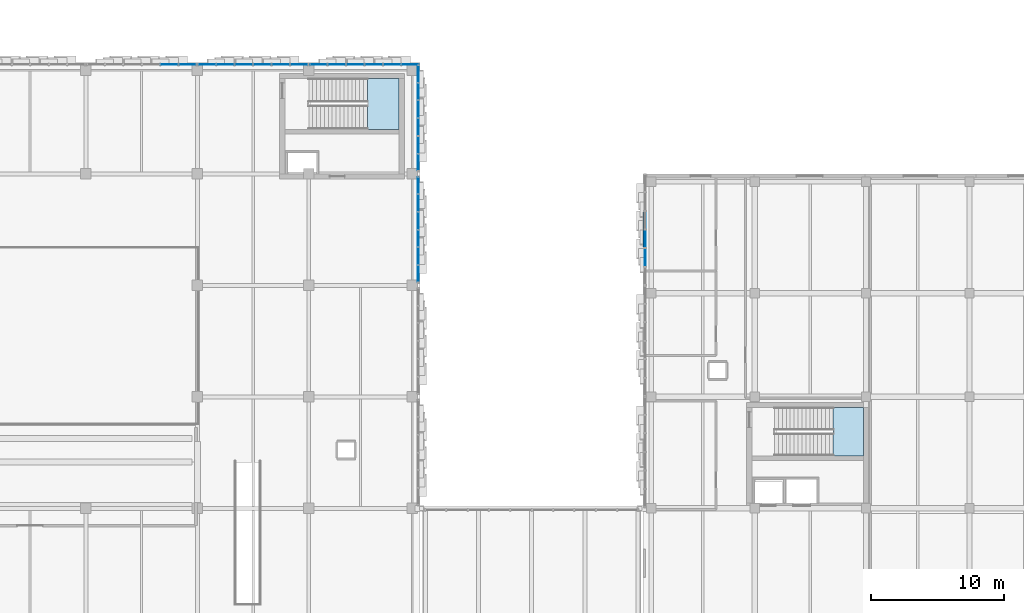
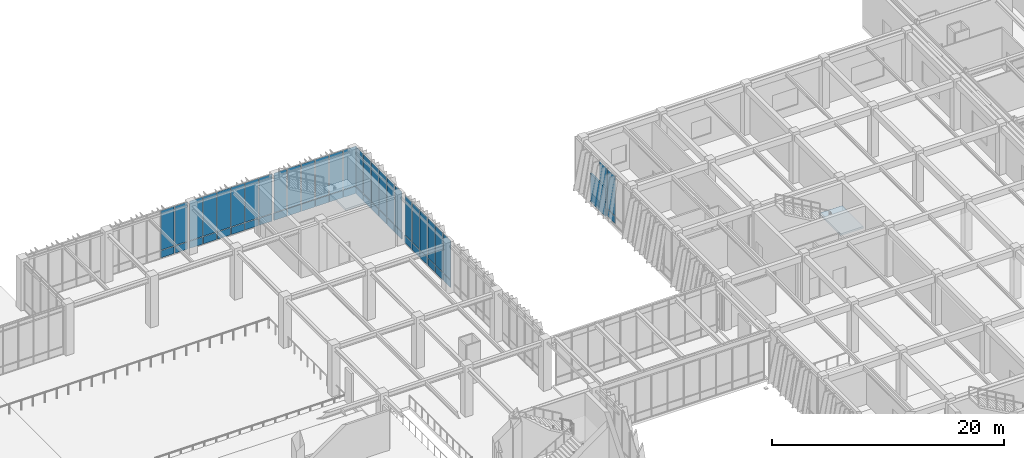
# One storey, part 97 of 139: 58 plates, 2 slabs, 8 elements without a shape of their own.
"""IFC4 building model written with IfcOpenShell, lengths in metres."""

from ifc_helpers import new_model, si_unit, direction, frame, origin, origin_2d, place, context, subcontext, project, spatial, polyline, rectangle, outline, extrude, material, layer, layer_set, type_object, element, aggregate, save


model = new_model("IFC4")

# Units and contexts
model_context = context("Model", 3, precision=1e-05, world=origin(), true_north=direction((0.0, 1.0)))
body_context = subcontext(model_context, "Body", "Model", "MODEL_VIEW")
ifc_project = project(units=[si_unit("LENGTHUNIT", "METRE"), si_unit("AREAUNIT", "SQUARE_METRE"), si_unit("VOLUMEUNIT", "CUBIC_METRE"), si_unit("PLANEANGLEUNIT", "RADIAN"), si_unit("MASSUNIT", "GRAM", prefix="KILO")], contexts=[model_context])

# Site, building, storey
site_placement = place(None, origin())
site = spatial("IfcSite", under=ifc_project, at=site_placement, CompositionType="ELEMENT")
building_placement = place(site_placement, origin())
building = spatial("IfcBuilding", under=site, at=building_placement, Name="Zayran Congress Hotel", CompositionType="ELEMENT")
storey_placement = place(building_placement, frame((0.0, 0.0, 5.39990234375)))
storey = spatial("IfcBuildingStorey", under=building, at=storey_placement, Name="L01", CompositionType="ELEMENT", Elevation=5.39990234375)

# Plate
ifc_material_1 = material(Name="Ajlun reconstituted limestone claustra", Category="masonry")
ifc_layer_1 = layer(ifc_material_1, 0.14990234375)
ifc_layer_set_1 = layer_set([ifc_layer_1], Name="Ajlun reconstituted limestone claustra")
plate_type_1 = type_object("IfcPlateType", Name="TP-CLS-09", PredefinedType="USERDEFINED", material=ifc_layer_set_1)
plate_1_placement = place(storey_placement, frame((109.280029296875, 105.408935546875, 0.0), z_axis=(0.0, 0.0, 1.0), x_axis=(0.0, 1.0, 0.0)))
element("IfcPlate", 1, at=plate_1_placement, inside=storey, type_object=plate_type_1, Name="Pierced Claustra Screen 24", ObjectType="CLAUSTRA SCREEN", PredefinedType="USERDEFINED", context=body_context, shape_type="SweptSolid", body=[
    extrude(rectangle(XDim=2.60009765625, YDim=0.14990234375, at=origin_2d()), origin(), (0.0, 0.0, 1.0), 3.0),
])

# Curtain wall, plates
ifc_material_2 = material(Name="Anodised aluminium and low-E insulated glass", Category="aluminium")
ifc_layer_2 = layer(ifc_material_2, 0.179931640625)
ifc_layer_set_2 = layer_set([ifc_layer_2], Name="Anodised aluminium and low-E insulated glass")
curtain_wall_type_1 = type_object("IfcCurtainWallType", Name="CW-V1N-L01-CW-22-8360-5080", PredefinedType="USERDEFINED", material=ifc_layer_set_2)
curtain_wall_1_placement = place(storey_placement, origin())
curtain_wall_1 = element("IfcCurtainWall", 2, at=curtain_wall_1_placement, inside=storey, type_object=curtain_wall_type_1, Name="CW-V1N-L01-7", ObjectType="CURTAIN WALL", PredefinedType="USERDEFINED")
ifc_layer_3 = layer(ifc_material_2, 0.028076171875)
ifc_layer_set_3 = layer_set([ifc_layer_3], Name="Anodised aluminium and low-E insulated glass")
plate_type_2 = type_object("IfcPlateType", Name="CWP-GL-1273-4150", PredefinedType="CURTAIN_PANEL", material=ifc_layer_set_3)
plate_2_placement = place(storey_placement, frame((74.86328125, 117.85009765625, 0.8701171875), z_axis=(0.0, 0.0, 1.0), x_axis=(1.0, 0.0, 0.0)))
plate_2 = element("IfcPlate", 3, at=plate_2_placement, type_object=plate_type_2, Name="CW-22 Glazed Panel 1", PredefinedType="CURTAIN_PANEL", context=body_context, shape_type="SweptSolid", body=[
    extrude(rectangle(XDim=1.273193359375, YDim=0.028076171875, at=origin_2d()), origin(), (0.0, 0.0, 1.0), 4.14990234375),
])
plate_3_placement = place(storey_placement, frame((73.489990234375, 117.85009765625, 0.8701171875), z_axis=(0.0, 0.0, 1.0), x_axis=(1.0, 0.0, 0.0)))
plate_3 = element("IfcPlate", 4, at=plate_3_placement, type_object=plate_type_2, Name="CW-22 Glazed Panel 2", PredefinedType="CURTAIN_PANEL", context=body_context, shape_type="SweptSolid", body=[
    extrude(rectangle(XDim=1.313232421875, YDim=0.028076171875, at=origin_2d()), origin(), (0.0, 0.0, 1.0), 4.14990234375),
])

ifc_layer_4 = layer(ifc_material_2, 0.179931640625)
ifc_layer_set_4 = layer_set([ifc_layer_4], Name="Anodised aluminium and low-E insulated glass")
curtain_wall_type_2 = type_object("IfcCurtainWallType", Name="CW-V1N-L01-CW-23-8360-5080", PredefinedType="USERDEFINED", material=ifc_layer_set_4)
curtain_wall_2_placement = place(storey_placement, origin())
curtain_wall_2 = element("IfcCurtainWall", 5, at=curtain_wall_2_placement, inside=storey, type_object=curtain_wall_type_2, Name="CW-V1N-L01-8", ObjectType="CURTAIN WALL", PredefinedType="USERDEFINED")
plate_4_placement = place(storey_placement, frame((83.26318359375, 117.85009765625, 0.8701171875), z_axis=(0.0, 0.0, 1.0), x_axis=(1.0, 0.0, 0.0)))
plate_4 = element("IfcPlate", 6, at=plate_4_placement, type_object=plate_type_2, Name="CW-23 Glazed Panel 1", PredefinedType="CURTAIN_PANEL", context=body_context, shape_type="SweptSolid", body=[
    extrude(rectangle(XDim=1.273193359375, YDim=0.028076171875, at=origin_2d()), origin(), (0.0, 0.0, 1.0), 4.14990234375),
])
plate_5_placement = place(storey_placement, frame((81.889892578125, 117.85009765625, 0.8701171875), z_axis=(0.0, 0.0, 1.0), x_axis=(1.0, 0.0, 0.0)))
plate_5 = element("IfcPlate", 7, at=plate_5_placement, type_object=plate_type_2, Name="CW-23 Glazed Panel 2", PredefinedType="CURTAIN_PANEL", context=body_context, shape_type="SweptSolid", body=[
    extrude(rectangle(XDim=1.313232421875, YDim=0.028076171875, at=origin_2d()), origin(), (0.0, 0.0, 1.0), 4.14990234375),
])
plate_6_placement = place(storey_placement, frame((80.49658203125, 117.85009765625, 0.8701171875), z_axis=(0.0, 0.0, 1.0), x_axis=(1.0, 0.0, 0.0)))
plate_6 = element("IfcPlate", 8, at=plate_6_placement, type_object=plate_type_2, Name="CW-23 Glazed Panel 3", PredefinedType="CURTAIN_PANEL", context=body_context, shape_type="SweptSolid", body=[
    extrude(rectangle(XDim=1.313232421875, YDim=0.028076171875, at=origin_2d()), origin(), (0.0, 0.0, 1.0), 4.14990234375),
])
plate_7_placement = place(storey_placement, frame((79.103271484375, 117.85009765625, 0.8701171875), z_axis=(0.0, 0.0, 1.0), x_axis=(1.0, 0.0, 0.0)))
plate_7 = element("IfcPlate", 9, at=plate_7_placement, type_object=plate_type_2, Name="CW-23 Glazed Panel 4", PredefinedType="CURTAIN_PANEL", context=body_context, shape_type="SweptSolid", body=[
    extrude(rectangle(XDim=1.313232421875, YDim=0.028076171875, at=origin_2d()), origin(), (0.0, 0.0, 1.0), 4.14990234375),
])
plate_8_placement = place(storey_placement, frame((77.7099609375, 117.85009765625, 0.8701171875), z_axis=(0.0, 0.0, 1.0), x_axis=(1.0, 0.0, 0.0)))
plate_8 = element("IfcPlate", 10, at=plate_8_placement, type_object=plate_type_2, Name="CW-23 Glazed Panel 5", PredefinedType="CURTAIN_PANEL", context=body_context, shape_type="SweptSolid", body=[
    extrude(rectangle(XDim=1.313232421875, YDim=0.028076171875, at=origin_2d()), origin(), (0.0, 0.0, 1.0), 4.14990234375),
])
plate_9_placement = place(storey_placement, frame((76.336669921875, 117.85009765625, 0.8701171875), z_axis=(0.0, 0.0, 1.0), x_axis=(1.0, 0.0, 0.0)))
plate_9 = element("IfcPlate", 11, at=plate_9_placement, type_object=plate_type_2, Name="CW-23 Glazed Panel 6", PredefinedType="CURTAIN_PANEL", context=body_context, shape_type="SweptSolid", body=[
    extrude(rectangle(XDim=1.273193359375, YDim=0.028076171875, at=origin_2d()), origin(), (0.0, 0.0, 1.0), 4.14990234375),
])

ifc_layer_5 = layer(ifc_material_2, 0.179931640625)
ifc_layer_set_5 = layer_set([ifc_layer_5], Name="Anodised aluminium and low-E insulated glass")
curtain_wall_type_3 = type_object("IfcCurtainWallType", Name="CW-V1N-L01-CW-21-8360-5080", PredefinedType="USERDEFINED", material=ifc_layer_set_5)
curtain_wall_3_placement = place(storey_placement, origin())
curtain_wall_3 = element("IfcCurtainWall", 12, at=curtain_wall_3_placement, inside=storey, type_object=curtain_wall_type_3, Name="CW-V1N-L01-9", ObjectType="CURTAIN WALL", PredefinedType="USERDEFINED")
plate_10_placement = place(storey_placement, frame((91.663330078125, 117.85009765625, 0.8701171875), z_axis=(0.0, 0.0, 1.0), x_axis=(1.0, 0.0, 0.0)))
plate_10 = element("IfcPlate", 13, at=plate_10_placement, type_object=plate_type_2, Name="CW-21 Glazed Panel 1", PredefinedType="CURTAIN_PANEL", context=body_context, shape_type="SweptSolid", body=[
    extrude(rectangle(XDim=1.273193359375, YDim=0.028076171875, at=origin_2d()), origin(), (0.0, 0.0, 1.0), 4.14990234375),
])
plate_11_placement = place(storey_placement, frame((90.2900390625, 117.85009765625, 0.8701171875), z_axis=(0.0, 0.0, 1.0), x_axis=(1.0, 0.0, 0.0)))
plate_11 = element("IfcPlate", 14, at=plate_11_placement, type_object=plate_type_2, Name="CW-21 Glazed Panel 2", PredefinedType="CURTAIN_PANEL", context=body_context, shape_type="SweptSolid", body=[
    extrude(rectangle(XDim=1.313232421875, YDim=0.028076171875, at=origin_2d()), origin(), (0.0, 0.0, 1.0), 4.14990234375),
])
plate_12_placement = place(storey_placement, frame((88.896728515625, 117.85009765625, 0.8701171875), z_axis=(0.0, 0.0, 1.0), x_axis=(1.0, 0.0, 0.0)))
plate_12 = element("IfcPlate", 15, at=plate_12_placement, type_object=plate_type_2, Name="CW-21 Glazed Panel 3", PredefinedType="CURTAIN_PANEL", context=body_context, shape_type="SweptSolid", body=[
    extrude(rectangle(XDim=1.313232421875, YDim=0.028076171875, at=origin_2d()), origin(), (0.0, 0.0, 1.0), 4.14990234375),
])
plate_13_placement = place(storey_placement, frame((87.50341796875, 117.85009765625, 0.8701171875), z_axis=(0.0, 0.0, 1.0), x_axis=(1.0, 0.0, 0.0)))
plate_13 = element("IfcPlate", 16, at=plate_13_placement, type_object=plate_type_2, Name="CW-21 Glazed Panel 4", PredefinedType="CURTAIN_PANEL", context=body_context, shape_type="SweptSolid", body=[
    extrude(rectangle(XDim=1.313232421875, YDim=0.028076171875, at=origin_2d()), origin(), (0.0, 0.0, 1.0), 4.14990234375),
])
plate_14_placement = place(storey_placement, frame((86.110107421875, 117.85009765625, 0.8701171875), z_axis=(0.0, 0.0, 1.0), x_axis=(1.0, 0.0, 0.0)))
plate_14 = element("IfcPlate", 17, at=plate_14_placement, type_object=plate_type_2, Name="CW-21 Glazed Panel 5", PredefinedType="CURTAIN_PANEL", context=body_context, shape_type="SweptSolid", body=[
    extrude(rectangle(XDim=1.313232421875, YDim=0.028076171875, at=origin_2d()), origin(), (0.0, 0.0, 1.0), 4.14990234375),
])
plate_15_placement = place(storey_placement, frame((84.73681640625, 117.85009765625, 0.8701171875), z_axis=(0.0, 0.0, 1.0), x_axis=(1.0, 0.0, 0.0)))
plate_15 = element("IfcPlate", 18, at=plate_15_placement, type_object=plate_type_2, Name="CW-21 Glazed Panel 6", PredefinedType="CURTAIN_PANEL", context=body_context, shape_type="SweptSolid", body=[
    extrude(rectangle(XDim=1.273193359375, YDim=0.028076171875, at=origin_2d()), origin(), (0.0, 0.0, 1.0), 4.14990234375),
])

# Plate
ifc_material_3 = material(Name="Insulated warm bronze aluminium spandrel panel", Category="aluminium")
ifc_layer_6 = layer(ifc_material_3, 0.06005859375)
ifc_layer_set_6 = layer_set([ifc_layer_6], Name="Insulated warm bronze aluminium spandrel panel")
plate_type_3 = type_object("IfcPlateType", Name="CWP-SP-1273-750", PredefinedType="CURTAIN_PANEL", material=ifc_layer_set_6)
plate_16_placement = place(storey_placement, frame((74.86328125, 117.85009765625, 0.06005859375), z_axis=(0.0, 0.0, 1.0), x_axis=(1.0, 0.0, 0.0)))
plate_16 = element("IfcPlate", 19, at=plate_16_placement, type_object=plate_type_3, Name="CW-22 Spandrel Panel 1", PredefinedType="CURTAIN_PANEL", context=body_context, shape_type="SweptSolid", body=[
    extrude(rectangle(XDim=1.273193359375, YDim=0.06005859375, at=origin_2d()), origin(), (0.0, 0.0, 1.0), 0.75),
])

plate_17_placement = place(storey_placement, frame((73.489990234375, 117.85009765625, 0.06005859375), z_axis=(0.0, 0.0, 1.0), x_axis=(1.0, 0.0, 0.0)))
plate_17 = element("IfcPlate", 20, at=plate_17_placement, type_object=plate_type_3, Name="CW-22 Spandrel Panel 2", PredefinedType="CURTAIN_PANEL", context=body_context, shape_type="SweptSolid", body=[
    extrude(rectangle(XDim=1.313232421875, YDim=0.06005859375, at=origin_2d()), origin(), (0.0, 0.0, 1.0), 0.75),
])

aggregate(curtain_wall_1, [plate_16, plate_2, plate_17, plate_3])

plate_18_placement = place(storey_placement, frame((83.26318359375, 117.85009765625, 0.06005859375), z_axis=(0.0, 0.0, 1.0), x_axis=(1.0, 0.0, 0.0)))
plate_18 = element("IfcPlate", 21, at=plate_18_placement, type_object=plate_type_3, Name="CW-23 Spandrel Panel 1", PredefinedType="CURTAIN_PANEL", context=body_context, shape_type="SweptSolid", body=[
    extrude(rectangle(XDim=1.273193359375, YDim=0.06005859375, at=origin_2d()), origin(), (0.0, 0.0, 1.0), 0.75),
])

plate_19_placement = place(storey_placement, frame((81.889892578125, 117.85009765625, 0.06005859375), z_axis=(0.0, 0.0, 1.0), x_axis=(1.0, 0.0, 0.0)))
plate_19 = element("IfcPlate", 22, at=plate_19_placement, type_object=plate_type_3, Name="CW-23 Spandrel Panel 2", PredefinedType="CURTAIN_PANEL", context=body_context, shape_type="SweptSolid", body=[
    extrude(rectangle(XDim=1.313232421875, YDim=0.06005859375, at=origin_2d()), origin(), (0.0, 0.0, 1.0), 0.75),
])

plate_20_placement = place(storey_placement, frame((80.49658203125, 117.85009765625, 0.06005859375), z_axis=(0.0, 0.0, 1.0), x_axis=(1.0, 0.0, 0.0)))
plate_20 = element("IfcPlate", 23, at=plate_20_placement, type_object=plate_type_3, Name="CW-23 Spandrel Panel 3", PredefinedType="CURTAIN_PANEL", context=body_context, shape_type="SweptSolid", body=[
    extrude(rectangle(XDim=1.313232421875, YDim=0.06005859375, at=origin_2d()), origin(), (0.0, 0.0, 1.0), 0.75),
])

plate_21_placement = place(storey_placement, frame((79.103271484375, 117.85009765625, 0.06005859375), z_axis=(0.0, 0.0, 1.0), x_axis=(1.0, 0.0, 0.0)))
plate_21 = element("IfcPlate", 24, at=plate_21_placement, type_object=plate_type_3, Name="CW-23 Spandrel Panel 4", PredefinedType="CURTAIN_PANEL", context=body_context, shape_type="SweptSolid", body=[
    extrude(rectangle(XDim=1.313232421875, YDim=0.06005859375, at=origin_2d()), origin(), (0.0, 0.0, 1.0), 0.75),
])

plate_22_placement = place(storey_placement, frame((77.7099609375, 117.85009765625, 0.06005859375), z_axis=(0.0, 0.0, 1.0), x_axis=(1.0, 0.0, 0.0)))
plate_22 = element("IfcPlate", 25, at=plate_22_placement, type_object=plate_type_3, Name="CW-23 Spandrel Panel 5", PredefinedType="CURTAIN_PANEL", context=body_context, shape_type="SweptSolid", body=[
    extrude(rectangle(XDim=1.313232421875, YDim=0.06005859375, at=origin_2d()), origin(), (0.0, 0.0, 1.0), 0.75),
])

plate_23_placement = place(storey_placement, frame((76.336669921875, 117.85009765625, 0.06005859375), z_axis=(0.0, 0.0, 1.0), x_axis=(1.0, 0.0, 0.0)))
plate_23 = element("IfcPlate", 26, at=plate_23_placement, type_object=plate_type_3, Name="CW-23 Spandrel Panel 6", PredefinedType="CURTAIN_PANEL", context=body_context, shape_type="SweptSolid", body=[
    extrude(rectangle(XDim=1.273193359375, YDim=0.06005859375, at=origin_2d()), origin(), (0.0, 0.0, 1.0), 0.75),
])

aggregate(curtain_wall_2, [plate_18, plate_4, plate_19, plate_5, plate_20, plate_6, plate_21, plate_7, plate_22, plate_8, plate_23, plate_9])

plate_24_placement = place(storey_placement, frame((91.663330078125, 117.85009765625, 0.06005859375), z_axis=(0.0, 0.0, 1.0), x_axis=(1.0, 0.0, 0.0)))
plate_24 = element("IfcPlate", 27, at=plate_24_placement, type_object=plate_type_3, Name="CW-21 Spandrel Panel 1", PredefinedType="CURTAIN_PANEL", context=body_context, shape_type="SweptSolid", body=[
    extrude(rectangle(XDim=1.273193359375, YDim=0.06005859375, at=origin_2d()), origin(), (0.0, 0.0, 1.0), 0.75),
])

plate_25_placement = place(storey_placement, frame((90.2900390625, 117.85009765625, 0.06005859375), z_axis=(0.0, 0.0, 1.0), x_axis=(1.0, 0.0, 0.0)))
plate_25 = element("IfcPlate", 28, at=plate_25_placement, type_object=plate_type_3, Name="CW-21 Spandrel Panel 2", PredefinedType="CURTAIN_PANEL", context=body_context, shape_type="SweptSolid", body=[
    extrude(rectangle(XDim=1.313232421875, YDim=0.06005859375, at=origin_2d()), origin(), (0.0, 0.0, 1.0), 0.75),
])

plate_26_placement = place(storey_placement, frame((88.896728515625, 117.85009765625, 0.06005859375), z_axis=(0.0, 0.0, 1.0), x_axis=(1.0, 0.0, 0.0)))
plate_26 = element("IfcPlate", 29, at=plate_26_placement, type_object=plate_type_3, Name="CW-21 Spandrel Panel 3", PredefinedType="CURTAIN_PANEL", context=body_context, shape_type="SweptSolid", body=[
    extrude(rectangle(XDim=1.313232421875, YDim=0.06005859375, at=origin_2d()), origin(), (0.0, 0.0, 1.0), 0.75),
])

plate_27_placement = place(storey_placement, frame((87.50341796875, 117.85009765625, 0.06005859375), z_axis=(0.0, 0.0, 1.0), x_axis=(1.0, 0.0, 0.0)))
plate_27 = element("IfcPlate", 30, at=plate_27_placement, type_object=plate_type_3, Name="CW-21 Spandrel Panel 4", PredefinedType="CURTAIN_PANEL", context=body_context, shape_type="SweptSolid", body=[
    extrude(rectangle(XDim=1.313232421875, YDim=0.06005859375, at=origin_2d()), origin(), (0.0, 0.0, 1.0), 0.75),
])

plate_28_placement = place(storey_placement, frame((86.110107421875, 117.85009765625, 0.06005859375), z_axis=(0.0, 0.0, 1.0), x_axis=(1.0, 0.0, 0.0)))
plate_28 = element("IfcPlate", 31, at=plate_28_placement, type_object=plate_type_3, Name="CW-21 Spandrel Panel 5", PredefinedType="CURTAIN_PANEL", context=body_context, shape_type="SweptSolid", body=[
    extrude(rectangle(XDim=1.313232421875, YDim=0.06005859375, at=origin_2d()), origin(), (0.0, 0.0, 1.0), 0.75),
])

plate_29_placement = place(storey_placement, frame((84.73681640625, 117.85009765625, 0.06005859375), z_axis=(0.0, 0.0, 1.0), x_axis=(1.0, 0.0, 0.0)))
plate_29 = element("IfcPlate", 32, at=plate_29_placement, type_object=plate_type_3, Name="CW-21 Spandrel Panel 6", PredefinedType="CURTAIN_PANEL", context=body_context, shape_type="SweptSolid", body=[
    extrude(rectangle(XDim=1.273193359375, YDim=0.06005859375, at=origin_2d()), origin(), (0.0, 0.0, 1.0), 0.75),
])

aggregate(curtain_wall_3, [plate_24, plate_10, plate_25, plate_11, plate_26, plate_12, plate_27, plate_13, plate_28, plate_14, plate_29, plate_15])

# Curtain wall, plates
ifc_layer_7 = layer(ifc_material_2, 0.179931640625)
ifc_layer_set_7 = layer_set([ifc_layer_7], Name="Anodised aluminium and low-E insulated glass")
curtain_wall_type_4 = type_object("IfcCurtainWallType", Name="CW-V1E-L01-CW-41-8040-5080", PredefinedType="USERDEFINED", material=ifc_layer_set_7)
curtain_wall_4_placement = place(storey_placement, origin())
curtain_wall_4 = element("IfcCurtainWall", 33, at=curtain_wall_4_placement, inside=storey, type_object=curtain_wall_type_4, Name="CW-V1E-L01-4", ObjectType="CURTAIN WALL", PredefinedType="USERDEFINED")
ifc_layer_8 = layer(ifc_material_2, 0.028076171875)
ifc_layer_set_8 = layer_set([ifc_layer_8], Name="Anodised aluminium and low-E insulated glass")
plate_type_4 = type_object("IfcPlateType", Name="CWP-GL-1220-4150", PredefinedType="CURTAIN_PANEL", material=ifc_layer_set_8)
plate_30_placement = place(storey_placement, frame((92.25, 102.070068359375, 0.8701171875), z_axis=(0.0, 0.0, 1.0), x_axis=(0.0, 1.0, 0.0)))
plate_30 = element("IfcPlate", 34, at=plate_30_placement, type_object=plate_type_4, Name="CW-41 Glazed Panel 1", PredefinedType="CURTAIN_PANEL", context=body_context, shape_type="SweptSolid", body=[
    extrude(rectangle(XDim=1.219970703125, YDim=0.028076171875, at=origin_2d()), origin(), (0.0, 0.0, 1.0), 4.14990234375),
])
plate_31_placement = place(storey_placement, frame((92.25, 103.389892578125, 0.8701171875), z_axis=(0.0, 0.0, 1.0), x_axis=(0.0, 1.0, 0.0)))
plate_31 = element("IfcPlate", 35, at=plate_31_placement, type_object=plate_type_4, Name="CW-41 Glazed Panel 2", PredefinedType="CURTAIN_PANEL", context=body_context, shape_type="SweptSolid", body=[
    extrude(rectangle(XDim=1.260009765625, YDim=0.028076171875, at=origin_2d()), origin(), (0.0, 0.0, 1.0), 4.14990234375),
])
plate_32_placement = place(storey_placement, frame((92.25, 104.72998046875, 0.8701171875), z_axis=(0.0, 0.0, 1.0), x_axis=(0.0, 1.0, 0.0)))
plate_32 = element("IfcPlate", 36, at=plate_32_placement, type_object=plate_type_4, Name="CW-41 Glazed Panel 3", PredefinedType="CURTAIN_PANEL", context=body_context, shape_type="SweptSolid", body=[
    extrude(rectangle(XDim=1.260009765625, YDim=0.028076171875, at=origin_2d()), origin(), (0.0, 0.0, 1.0), 4.14990234375),
])
plate_33_placement = place(storey_placement, frame((92.25, 106.070068359375, 0.8701171875), z_axis=(0.0, 0.0, 1.0), x_axis=(0.0, 1.0, 0.0)))
plate_33 = element("IfcPlate", 37, at=plate_33_placement, type_object=plate_type_4, Name="CW-41 Glazed Panel 4", PredefinedType="CURTAIN_PANEL", context=body_context, shape_type="SweptSolid", body=[
    extrude(rectangle(XDim=1.260009765625, YDim=0.028076171875, at=origin_2d()), origin(), (0.0, 0.0, 1.0), 4.14990234375),
])
plate_34_placement = place(storey_placement, frame((92.25, 107.409912109375, 0.8701171875), z_axis=(0.0, 0.0, 1.0), x_axis=(0.0, 1.0, 0.0)))
plate_34 = element("IfcPlate", 38, at=plate_34_placement, type_object=plate_type_4, Name="CW-41 Glazed Panel 5", PredefinedType="CURTAIN_PANEL", context=body_context, shape_type="SweptSolid", body=[
    extrude(rectangle(XDim=1.260009765625, YDim=0.028076171875, at=origin_2d()), origin(), (0.0, 0.0, 1.0), 4.14990234375),
])
plate_35_placement = place(storey_placement, frame((92.25, 108.72998046875, 0.8701171875), z_axis=(0.0, 0.0, 1.0), x_axis=(0.0, 1.0, 0.0)))
plate_35 = element("IfcPlate", 39, at=plate_35_placement, type_object=plate_type_4, Name="CW-41 Glazed Panel 6", PredefinedType="CURTAIN_PANEL", context=body_context, shape_type="SweptSolid", body=[
    extrude(rectangle(XDim=1.219970703125, YDim=0.028076171875, at=origin_2d()), origin(), (0.0, 0.0, 1.0), 4.14990234375),
])

ifc_layer_9 = layer(ifc_material_2, 0.179931640625)
ifc_layer_set_9 = layer_set([ifc_layer_9], Name="Anodised aluminium and low-E insulated glass")
curtain_wall_type_5 = type_object("IfcCurtainWallType", Name="CW-V1E-L01-CW-42-8040-5080", PredefinedType="USERDEFINED", material=ifc_layer_set_9)
curtain_wall_5_placement = place(storey_placement, origin())
curtain_wall_5 = element("IfcCurtainWall", 40, at=curtain_wall_5_placement, inside=storey, type_object=curtain_wall_type_5, Name="CW-V1E-L01-5", ObjectType="CURTAIN WALL", PredefinedType="USERDEFINED")
plate_36_placement = place(storey_placement, frame((92.25, 110.469970703125, 0.8701171875), z_axis=(0.0, 0.0, 1.0), x_axis=(0.0, 1.0, 0.0)))
plate_36 = element("IfcPlate", 41, at=plate_36_placement, type_object=plate_type_4, Name="CW-42 Glazed Panel 1", PredefinedType="CURTAIN_PANEL", context=body_context, shape_type="SweptSolid", body=[
    extrude(rectangle(XDim=1.219970703125, YDim=0.028076171875, at=origin_2d()), origin(), (0.0, 0.0, 1.0), 4.14990234375),
])
plate_37_placement = place(storey_placement, frame((92.25, 111.7900390625, 0.8701171875), z_axis=(0.0, 0.0, 1.0), x_axis=(0.0, 1.0, 0.0)))
plate_37 = element("IfcPlate", 42, at=plate_37_placement, type_object=plate_type_4, Name="CW-42 Glazed Panel 2", PredefinedType="CURTAIN_PANEL", context=body_context, shape_type="SweptSolid", body=[
    extrude(rectangle(XDim=1.260009765625, YDim=0.028076171875, at=origin_2d()), origin(), (0.0, 0.0, 1.0), 4.14990234375),
])
plate_38_placement = place(storey_placement, frame((92.25, 113.1298828125, 0.8701171875), z_axis=(0.0, 0.0, 1.0), x_axis=(0.0, 1.0, 0.0)))
plate_38 = element("IfcPlate", 43, at=plate_38_placement, type_object=plate_type_4, Name="CW-42 Glazed Panel 3", PredefinedType="CURTAIN_PANEL", context=body_context, shape_type="SweptSolid", body=[
    extrude(rectangle(XDim=1.260009765625, YDim=0.028076171875, at=origin_2d()), origin(), (0.0, 0.0, 1.0), 4.14990234375),
])
plate_39_placement = place(storey_placement, frame((92.25, 114.469970703125, 0.8701171875), z_axis=(0.0, 0.0, 1.0), x_axis=(0.0, 1.0, 0.0)))
plate_39 = element("IfcPlate", 44, at=plate_39_placement, type_object=plate_type_4, Name="CW-42 Glazed Panel 4", PredefinedType="CURTAIN_PANEL", context=body_context, shape_type="SweptSolid", body=[
    extrude(rectangle(XDim=1.260009765625, YDim=0.028076171875, at=origin_2d()), origin(), (0.0, 0.0, 1.0), 4.14990234375),
])
plate_40_placement = place(storey_placement, frame((92.25, 115.81005859375, 0.8701171875), z_axis=(0.0, 0.0, 1.0), x_axis=(0.0, 1.0, 0.0)))
plate_40 = element("IfcPlate", 45, at=plate_40_placement, type_object=plate_type_4, Name="CW-42 Glazed Panel 5", PredefinedType="CURTAIN_PANEL", context=body_context, shape_type="SweptSolid", body=[
    extrude(rectangle(XDim=1.260009765625, YDim=0.028076171875, at=origin_2d()), origin(), (0.0, 0.0, 1.0), 4.14990234375),
])
plate_41_placement = place(storey_placement, frame((92.25, 117.1298828125, 0.8701171875), z_axis=(0.0, 0.0, 1.0), x_axis=(0.0, 1.0, 0.0)))
plate_41 = element("IfcPlate", 46, at=plate_41_placement, type_object=plate_type_4, Name="CW-42 Glazed Panel 6", PredefinedType="CURTAIN_PANEL", context=body_context, shape_type="SweptSolid", body=[
    extrude(rectangle(XDim=1.219970703125, YDim=0.028076171875, at=origin_2d()), origin(), (0.0, 0.0, 1.0), 4.14990234375),
])

# Plate
ifc_layer_10 = layer(ifc_material_3, 0.06005859375)
ifc_layer_set_10 = layer_set([ifc_layer_10], Name="Insulated warm bronze aluminium spandrel panel")
plate_type_5 = type_object("IfcPlateType", Name="CWP-SP-1220-750", PredefinedType="CURTAIN_PANEL", material=ifc_layer_set_10)
plate_42_placement = place(storey_placement, frame((92.25, 102.070068359375, 0.06005859375), z_axis=(0.0, 0.0, 1.0), x_axis=(0.0, 1.0, 0.0)))
plate_42 = element("IfcPlate", 47, at=plate_42_placement, type_object=plate_type_5, Name="CW-41 Spandrel Panel 1", PredefinedType="CURTAIN_PANEL", context=body_context, shape_type="SweptSolid", body=[
    extrude(rectangle(XDim=1.219970703125, YDim=0.06005859375, at=origin_2d()), origin(), (0.0, 0.0, 1.0), 0.75),
])

plate_43_placement = place(storey_placement, frame((92.25, 103.389892578125, 0.06005859375), z_axis=(0.0, 0.0, 1.0), x_axis=(0.0, 1.0, 0.0)))
plate_43 = element("IfcPlate", 48, at=plate_43_placement, type_object=plate_type_5, Name="CW-41 Spandrel Panel 2", PredefinedType="CURTAIN_PANEL", context=body_context, shape_type="SweptSolid", body=[
    extrude(rectangle(XDim=1.260009765625, YDim=0.06005859375, at=origin_2d()), origin(), (0.0, 0.0, 1.0), 0.75),
])

plate_44_placement = place(storey_placement, frame((92.25, 104.72998046875, 0.06005859375), z_axis=(0.0, 0.0, 1.0), x_axis=(0.0, 1.0, 0.0)))
plate_44 = element("IfcPlate", 49, at=plate_44_placement, type_object=plate_type_5, Name="CW-41 Spandrel Panel 3", PredefinedType="CURTAIN_PANEL", context=body_context, shape_type="SweptSolid", body=[
    extrude(rectangle(XDim=1.260009765625, YDim=0.06005859375, at=origin_2d()), origin(), (0.0, 0.0, 1.0), 0.75),
])

plate_45_placement = place(storey_placement, frame((92.25, 106.070068359375, 0.06005859375), z_axis=(0.0, 0.0, 1.0), x_axis=(0.0, 1.0, 0.0)))
plate_45 = element("IfcPlate", 50, at=plate_45_placement, type_object=plate_type_5, Name="CW-41 Spandrel Panel 4", PredefinedType="CURTAIN_PANEL", context=body_context, shape_type="SweptSolid", body=[
    extrude(rectangle(XDim=1.260009765625, YDim=0.06005859375, at=origin_2d()), origin(), (0.0, 0.0, 1.0), 0.75),
])

plate_46_placement = place(storey_placement, frame((92.25, 107.409912109375, 0.06005859375), z_axis=(0.0, 0.0, 1.0), x_axis=(0.0, 1.0, 0.0)))
plate_46 = element("IfcPlate", 51, at=plate_46_placement, type_object=plate_type_5, Name="CW-41 Spandrel Panel 5", PredefinedType="CURTAIN_PANEL", context=body_context, shape_type="SweptSolid", body=[
    extrude(rectangle(XDim=1.260009765625, YDim=0.06005859375, at=origin_2d()), origin(), (0.0, 0.0, 1.0), 0.75),
])

plate_47_placement = place(storey_placement, frame((92.25, 108.72998046875, 0.06005859375), z_axis=(0.0, 0.0, 1.0), x_axis=(0.0, 1.0, 0.0)))
plate_47 = element("IfcPlate", 52, at=plate_47_placement, type_object=plate_type_5, Name="CW-41 Spandrel Panel 6", PredefinedType="CURTAIN_PANEL", context=body_context, shape_type="SweptSolid", body=[
    extrude(rectangle(XDim=1.219970703125, YDim=0.06005859375, at=origin_2d()), origin(), (0.0, 0.0, 1.0), 0.75),
])

aggregate(curtain_wall_4, [plate_42, plate_30, plate_43, plate_31, plate_44, plate_32, plate_45, plate_33, plate_46, plate_34, plate_47, plate_35])

plate_48_placement = place(storey_placement, frame((92.25, 110.469970703125, 0.06005859375), z_axis=(0.0, 0.0, 1.0), x_axis=(0.0, 1.0, 0.0)))
plate_48 = element("IfcPlate", 53, at=plate_48_placement, type_object=plate_type_5, Name="CW-42 Spandrel Panel 1", PredefinedType="CURTAIN_PANEL", context=body_context, shape_type="SweptSolid", body=[
    extrude(rectangle(XDim=1.219970703125, YDim=0.06005859375, at=origin_2d()), origin(), (0.0, 0.0, 1.0), 0.75),
])

plate_49_placement = place(storey_placement, frame((92.25, 111.7900390625, 0.06005859375), z_axis=(0.0, 0.0, 1.0), x_axis=(0.0, 1.0, 0.0)))
plate_49 = element("IfcPlate", 54, at=plate_49_placement, type_object=plate_type_5, Name="CW-42 Spandrel Panel 2", PredefinedType="CURTAIN_PANEL", context=body_context, shape_type="SweptSolid", body=[
    extrude(rectangle(XDim=1.260009765625, YDim=0.06005859375, at=origin_2d()), origin(), (0.0, 0.0, 1.0), 0.75),
])

plate_50_placement = place(storey_placement, frame((92.25, 113.1298828125, 0.06005859375), z_axis=(0.0, 0.0, 1.0), x_axis=(0.0, 1.0, 0.0)))
plate_50 = element("IfcPlate", 55, at=plate_50_placement, type_object=plate_type_5, Name="CW-42 Spandrel Panel 3", PredefinedType="CURTAIN_PANEL", context=body_context, shape_type="SweptSolid", body=[
    extrude(rectangle(XDim=1.260009765625, YDim=0.06005859375, at=origin_2d()), origin(), (0.0, 0.0, 1.0), 0.75),
])

plate_51_placement = place(storey_placement, frame((92.25, 114.469970703125, 0.06005859375), z_axis=(0.0, 0.0, 1.0), x_axis=(0.0, 1.0, 0.0)))
plate_51 = element("IfcPlate", 56, at=plate_51_placement, type_object=plate_type_5, Name="CW-42 Spandrel Panel 4", PredefinedType="CURTAIN_PANEL", context=body_context, shape_type="SweptSolid", body=[
    extrude(rectangle(XDim=1.260009765625, YDim=0.06005859375, at=origin_2d()), origin(), (0.0, 0.0, 1.0), 0.75),
])

plate_52_placement = place(storey_placement, frame((92.25, 115.81005859375, 0.06005859375), z_axis=(0.0, 0.0, 1.0), x_axis=(0.0, 1.0, 0.0)))
plate_52 = element("IfcPlate", 57, at=plate_52_placement, type_object=plate_type_5, Name="CW-42 Spandrel Panel 5", PredefinedType="CURTAIN_PANEL", context=body_context, shape_type="SweptSolid", body=[
    extrude(rectangle(XDim=1.260009765625, YDim=0.06005859375, at=origin_2d()), origin(), (0.0, 0.0, 1.0), 0.75),
])

plate_53_placement = place(storey_placement, frame((92.25, 117.1298828125, 0.06005859375), z_axis=(0.0, 0.0, 1.0), x_axis=(0.0, 1.0, 0.0)))
plate_53 = element("IfcPlate", 58, at=plate_53_placement, type_object=plate_type_5, Name="CW-42 Spandrel Panel 6", PredefinedType="CURTAIN_PANEL", context=body_context, shape_type="SweptSolid", body=[
    extrude(rectangle(XDim=1.219970703125, YDim=0.06005859375, at=origin_2d()), origin(), (0.0, 0.0, 1.0), 0.75),
])

aggregate(curtain_wall_5, [plate_48, plate_36, plate_49, plate_37, plate_50, plate_38, plate_51, plate_39, plate_52, plate_40, plate_53, plate_41])

# Curtain wall, plates
ifc_layer_11 = layer(ifc_material_2, 0.179931640625)
ifc_layer_set_11 = layer_set([ifc_layer_11], Name="Anodised aluminium and low-E insulated glass")
curtain_wall_type_6 = type_object("IfcCurtainWallType", Name="CW-V4W-L01-CW-52-8376-5100", PredefinedType="USERDEFINED", material=ifc_layer_set_11)
curtain_wall_6_placement = place(storey_placement, origin())
curtain_wall_6 = element("IfcCurtainWall", 59, at=curtain_wall_6_placement, inside=storey, type_object=curtain_wall_type_6, Name="CW-V4W-L01-7", ObjectType="CURTAIN WALL", PredefinedType="USERDEFINED")
ifc_layer_12 = layer(ifc_material_2, 0.028076171875)
ifc_layer_set_12 = layer_set([ifc_layer_12], Name="Anodised aluminium and low-E insulated glass")
plate_type_6 = type_object("IfcPlateType", Name="CWP-GL-1276-4170", PredefinedType="CURTAIN_PANEL", material=ifc_layer_set_12)
plate_54_placement = place(storey_placement, frame((109.35009765625, 104.714111328125, 0.8701171875), z_axis=(0.0, 0.0, 1.0), x_axis=(0.0, 1.0, 0.0)))
plate_54 = element("IfcPlate", 60, at=plate_54_placement, type_object=plate_type_6, Name="CW-52 Glazed Panel 4", PredefinedType="CURTAIN_PANEL", context=body_context, shape_type="SweptSolid", body=[
    extrude(rectangle(XDim=1.31591796875, YDim=0.028076171875, at=origin_2d()), origin(), (0.0, 0.0, 1.0), 4.169921875),
])
plate_55_placement = place(storey_placement, frame((109.35009765625, 103.318115234375, 0.8701171875), z_axis=(0.0, 0.0, 1.0), x_axis=(0.0, 1.0, 0.0)))
plate_55 = element("IfcPlate", 61, at=plate_55_placement, type_object=plate_type_6, Name="CW-52 Glazed Panel 5", PredefinedType="CURTAIN_PANEL", context=body_context, shape_type="SweptSolid", body=[
    extrude(rectangle(XDim=1.31591796875, YDim=0.028076171875, at=origin_2d()), origin(), (0.0, 0.0, 1.0), 4.169921875),
])
ifc_layer_13 = layer(ifc_material_3, 0.06005859375)
ifc_layer_set_13 = layer_set([ifc_layer_13], Name="Insulated warm bronze aluminium spandrel panel")
plate_type_7 = type_object("IfcPlateType", Name="CWP-SP-1276-750", PredefinedType="CURTAIN_PANEL", material=ifc_layer_set_13)
plate_56_placement = place(storey_placement, frame((109.35009765625, 106.110107421875, 0.06005859375), z_axis=(0.0, 0.0, 1.0), x_axis=(0.0, 1.0, 0.0)))
plate_56 = element("IfcPlate", 62, at=plate_56_placement, type_object=plate_type_7, Name="CW-52 Spandrel Panel 3", PredefinedType="CURTAIN_PANEL", context=body_context, shape_type="SweptSolid", body=[
    extrude(rectangle(XDim=1.31591796875, YDim=0.06005859375, at=origin_2d()), origin(), (0.0, 0.0, 1.0), 0.75),
])
plate_57_placement = place(storey_placement, frame((109.35009765625, 104.714111328125, 0.06005859375), z_axis=(0.0, 0.0, 1.0), x_axis=(0.0, 1.0, 0.0)))
plate_57 = element("IfcPlate", 63, at=plate_57_placement, type_object=plate_type_7, Name="CW-52 Spandrel Panel 4", PredefinedType="CURTAIN_PANEL", context=body_context, shape_type="SweptSolid", body=[
    extrude(rectangle(XDim=1.31591796875, YDim=0.06005859375, at=origin_2d()), origin(), (0.0, 0.0, 1.0), 0.75),
])
plate_58_placement = place(storey_placement, frame((109.35009765625, 103.318115234375, 0.06005859375), z_axis=(0.0, 0.0, 1.0), x_axis=(0.0, 1.0, 0.0)))
plate_58 = element("IfcPlate", 64, at=plate_58_placement, type_object=plate_type_7, Name="CW-52 Spandrel Panel 5", PredefinedType="CURTAIN_PANEL", context=body_context, shape_type="SweptSolid", body=[
    extrude(rectangle(XDim=1.31591796875, YDim=0.06005859375, at=origin_2d()), origin(), (0.0, 0.0, 1.0), 0.75),
])
aggregate(curtain_wall_6, [plate_56, plate_57, plate_54, plate_58, plate_55])

# Stair, slab
ifc_material_4 = material(Name="Concrete C32/40", Category="concrete")
stair_type_1 = type_object("IfcStairType", Name="TP-STR-1700-54", PredefinedType="USERDEFINED", material=ifc_material_4)
stair_1_placement = place(storey_placement, origin())
stair_1 = element("IfcStair", 65, at=stair_1_placement, inside=storey, type_object=stair_type_1, Name="L01 ST-07", ObjectType="TWO_RETURN_STAIR", PredefinedType="USERDEFINED")
ifc_layer_14 = layer(ifc_material_4, 0.199951171875)
ifc_layer_set_14 = layer_set([ifc_layer_14], Name="Concrete C32/40")
slab_type_1 = type_object("IfcSlabType", Name="TP-LND-1700", PredefinedType="LANDING", material=ifc_layer_set_14)
slab_1_placement = place(storey_placement, frame((0.0, 0.0, 2.5)))
slab_1 = element("IfcSlab", 66, at=slab_1_placement, type_object=slab_type_1, Name="ST-07 landing 1", PredefinedType="LANDING", context=body_context, shape_type="SweptSolid", body=[
    extrude(outline(polyline([(123.52490234375, 88.360107421875), (125.800048828125, 88.360107421875), (125.800048828125, 92.0), (123.52490234375, 92.0), (123.52490234375, 88.360107421875)])), origin(), (0.0, 0.0, 1.0), 0.2001953125),
])
aggregate(stair_1, [slab_1])

stair_type_2 = type_object("IfcStairType", Name="TP-STR-1800-54", PredefinedType="USERDEFINED", material=ifc_material_4)
stair_2_placement = place(storey_placement, origin())
stair_2 = element("IfcStair", 67, at=stair_2_placement, inside=storey, type_object=stair_type_2, Name="L01 ST-04", ObjectType="TWO_RETURN_STAIR", PredefinedType="USERDEFINED")
ifc_layer_15 = layer(ifc_material_4, 0.199951171875)
ifc_layer_set_15 = layer_set([ifc_layer_15], Name="Concrete C32/40")
slab_type_2 = type_object("IfcSlabType", Name="TP-LND-1800", PredefinedType="LANDING", material=ifc_layer_set_15)
slab_2_placement = place(storey_placement, frame((0.0, 0.0, 2.5)))
slab_2 = element("IfcSlab", 68, at=slab_2_placement, type_object=slab_type_2, Name="ST-04 landing 1", PredefinedType="LANDING", context=body_context, shape_type="SweptSolid", body=[
    extrude(outline(polyline([(88.425048828125, 112.9599609375), (90.800048828125, 112.9599609375), (90.800048828125, 116.800048828125), (88.425048828125, 116.800048828125), (88.425048828125, 112.9599609375)])), origin(), (0.0, 0.0, 1.0), 0.2001953125),
])
aggregate(stair_2, [slab_2])

save(model, "model.ifc")
